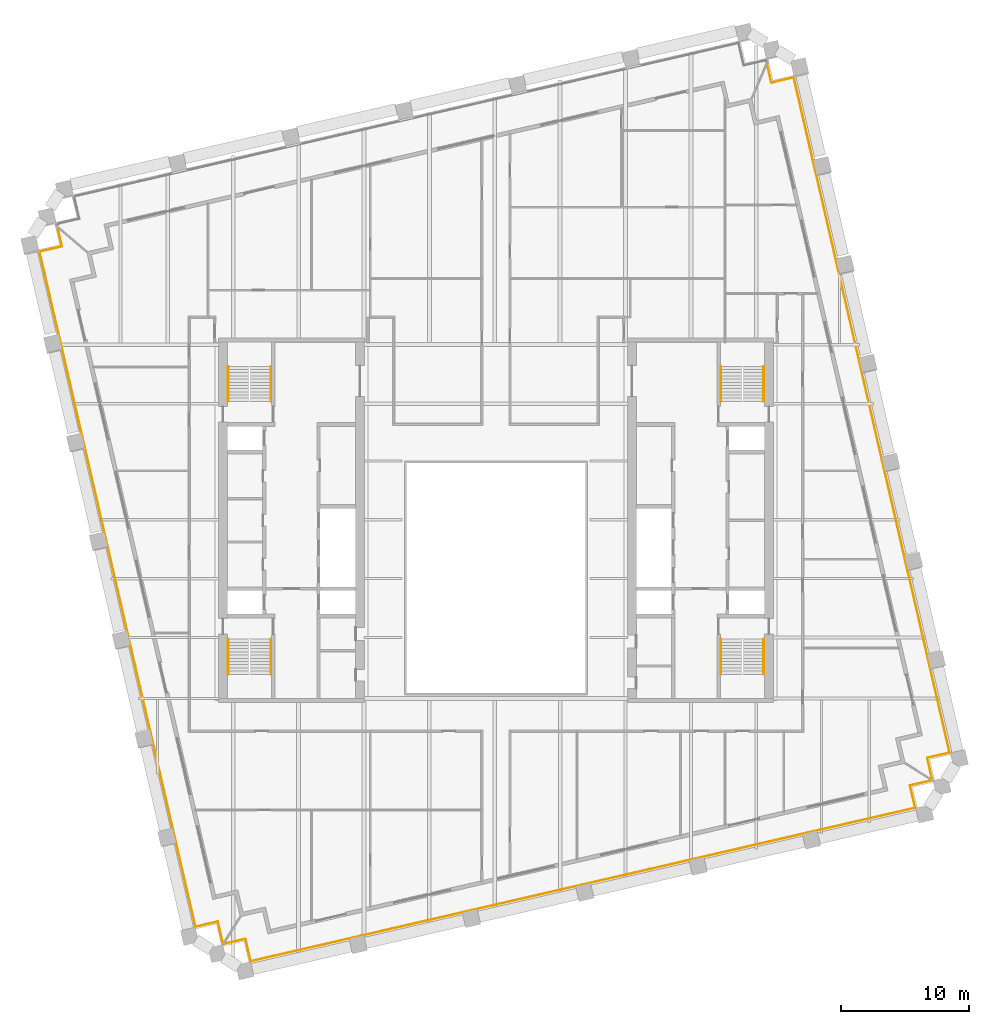
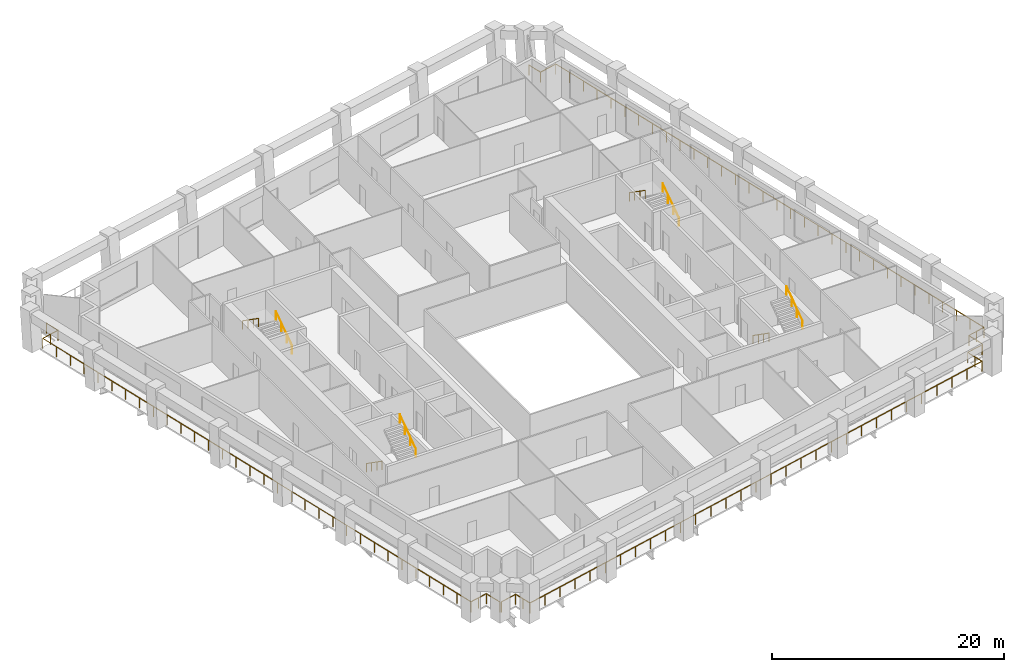
# One storey, part 10 of 11: 11 railings.
"""IFC4 building model written with IfcOpenShell, lengths in metres."""

from ifc_helpers import new_model, si_unit, direction, frame, origin, origin_2d, place, context, subcontext, project, spatial, circle, extrude, material, type_object, element, save


model = new_model("IFC4")

# Units and contexts
model_context = context("Model", 3, precision=1e-05, world=origin(), true_north=direction((0.0, 1.0)))
body_context = subcontext(model_context, "Body", "Model", "MODEL_VIEW")
ifc_project = project(units=[si_unit("LENGTHUNIT", "METRE"), si_unit("AREAUNIT", "SQUARE_METRE"), si_unit("VOLUMEUNIT", "CUBIC_METRE"), si_unit("PLANEANGLEUNIT", "RADIAN"), si_unit("MASSUNIT", "GRAM", prefix="KILO")], contexts=[model_context])

# Site, building, storey
site_placement = place(None, origin())
site = spatial("IfcSite", under=ifc_project, at=site_placement, CompositionType="ELEMENT")
building_placement = place(site_placement, origin())
building = spatial("IfcBuilding", under=site, at=building_placement, Name="Ogive Exchange Tower", CompositionType="ELEMENT")
storey_placement = place(building_placement, frame((0.0, 0.0, 175.800048828125)))
storey = spatial("IfcBuildingStorey", under=building, at=storey_placement, Name="L38", CompositionType="ELEMENT", Elevation=175.800048828125)

# Railings
ifc_material_1 = material(Name="Stainless steel 316", Category="steel")
railing_type_1 = type_object("IfcRailingType", Name="Guard 1100 stainless steel and glass", PredefinedType="GUARDRAIL", material=ifc_material_1)
railing_1_placement = place(storey_placement, frame((34.067138671875, -8.864013671875, -0.050048828125)))
element("IfcRailing", 1, at=railing_1_placement, inside=storey, type_object=railing_type_1, Name="Loggia guard 1", PredefinedType="GUARDRAIL", context=body_context, shape_type="SweptSolid", body=[
    extrude(circle(Radius=0.02392578125, at=origin_2d()), frame((0.0, 0.0, 1.076171875), z_axis=(-0.974364690374, -0.224974332206, 0.0), x_axis=(0.224974332206, -0.974364690374, 0.0)), (0.0, 0.0, 1.0), 1.7080078125),
    extrude(circle(Radius=0.02392578125, at=origin_2d()), frame((-1.664306640625, -0.38427734375, 1.076171875), z_axis=(0.224879318197, -0.974386623598, 0.0), x_axis=(0.974386623598, 0.224879318197, 0.0)), (0.0, 0.0, 1.0), 1.800048828125),
    extrude(circle(Radius=0.02392578125, at=origin_2d()), frame((-1.259521484375, -2.13818359375, 1.076171875), z_axis=(-0.97436998541, -0.224951398156, 0.0), x_axis=(0.224951398156, -0.97436998541, 0.0)), (0.0, 0.0, 1.0), 53.360107421875),
    extrude(circle(Radius=0.02392578125, at=origin_2d()), frame((-53.251953125, -14.1416015625, 1.076171875), z_axis=(-0.224879318197, 0.974386623598, 0.0), x_axis=(-0.974386623598, -0.224879318197, 0.0)), (0.0, 0.0, 1.0), 1.800048828125),
    extrude(circle(Radius=0.02392578125, at=origin_2d()), frame((-53.65673828125, -12.3876953125, 1.076171875), z_axis=(-0.974364690374, -0.224974332206, 0.0), x_axis=(0.224974332206, -0.974364690374, 0.0)), (0.0, 0.0, 1.0), 1.7080078125),
    extrude(circle(Radius=0.02099609375, at=origin_2d()), origin(), (0.0, 0.0, 1.0), 1.052001953125),
    extrude(circle(Radius=0.02099609375, at=origin_2d()), frame((-1.664306640625, -0.38427734375, 0.0)), (0.0, 0.0, 1.0), 1.052001953125),
    extrude(circle(Radius=0.02099609375, at=origin_2d()), frame((-1.4619140625, -1.26123046875, 0.0)), (0.0, 0.0, 1.0), 1.052001953125),
    extrude(circle(Radius=0.02099609375, at=origin_2d()), frame((-1.259521484375, -2.13818359375, 0.0)), (0.0, 0.0, 1.0), 1.052001953125),
    extrude(circle(Radius=0.02099609375, at=origin_2d()), frame((-2.99267578125, -2.538330078125, 0.0)), (0.0, 0.0, 1.0), 1.052001953125),
    extrude(circle(Radius=0.02099609375, at=origin_2d()), frame((-4.7255859375, -2.9384765625, 0.0)), (0.0, 0.0, 1.0), 1.052001953125),
    extrude(circle(Radius=0.02099609375, at=origin_2d()), frame((-6.458740234375, -3.338623046875, 0.0)), (0.0, 0.0, 1.0), 1.052001953125),
    extrude(circle(Radius=0.02099609375, at=origin_2d()), frame((-8.19189453125, -3.738525390625, 0.0)), (0.0, 0.0, 1.0), 1.052001953125),
    extrude(circle(Radius=0.02099609375, at=origin_2d()), frame((-9.9248046875, -4.138671875, 0.0)), (0.0, 0.0, 1.0), 1.052001953125),
    extrude(circle(Radius=0.02099609375, at=origin_2d()), frame((-11.657958984375, -4.538818359375, 0.0)), (0.0, 0.0, 1.0), 1.052001953125),
    extrude(circle(Radius=0.02099609375, at=origin_2d()), frame((-13.39111328125, -4.93896484375, 0.0)), (0.0, 0.0, 1.0), 1.052001953125),
    extrude(circle(Radius=0.02099609375, at=origin_2d()), frame((-15.124267578125, -5.339111328125, 0.0)), (0.0, 0.0, 1.0), 1.052001953125),
    extrude(circle(Radius=0.02099609375, at=origin_2d()), frame((-16.857177734375, -5.7392578125, 0.0)), (0.0, 0.0, 1.0), 1.052001953125),
    extrude(circle(Radius=0.02099609375, at=origin_2d()), frame((-18.59033203125, -6.139404296875, 0.0)), (0.0, 0.0, 1.0), 1.052001953125),
    extrude(circle(Radius=0.02099609375, at=origin_2d()), frame((-20.323486328125, -6.53955078125, 0.0)), (0.0, 0.0, 1.0), 1.052001953125),
    extrude(circle(Radius=0.02099609375, at=origin_2d()), frame((-22.056396484375, -6.939453125, 0.0)), (0.0, 0.0, 1.0), 1.052001953125),
    extrude(circle(Radius=0.02099609375, at=origin_2d()), frame((-23.78955078125, -7.339599609375, 0.0)), (0.0, 0.0, 1.0), 1.052001953125),
    extrude(circle(Radius=0.02099609375, at=origin_2d()), frame((-25.522705078125, -7.73974609375, 0.0)), (0.0, 0.0, 1.0), 1.052001953125),
    extrude(circle(Radius=0.02099609375, at=origin_2d()), frame((-27.255859375, -8.139892578125, 0.0)), (0.0, 0.0, 1.0), 1.052001953125),
    extrude(circle(Radius=0.02099609375, at=origin_2d()), frame((-28.98876953125, -8.5400390625, 0.0)), (0.0, 0.0, 1.0), 1.052001953125),
    extrude(circle(Radius=0.02099609375, at=origin_2d()), frame((-30.721923828125, -8.940185546875, 0.0)), (0.0, 0.0, 1.0), 1.052001953125),
    extrude(circle(Radius=0.02099609375, at=origin_2d()), frame((-32.455078125, -9.34033203125, 0.0)), (0.0, 0.0, 1.0), 1.052001953125),
    extrude(circle(Radius=0.02099609375, at=origin_2d()), frame((-34.18798828125, -9.740234375, 0.0)), (0.0, 0.0, 1.0), 1.052001953125),
    extrude(circle(Radius=0.02099609375, at=origin_2d()), frame((-35.921142578125, -10.140380859375, 0.0)), (0.0, 0.0, 1.0), 1.052001953125),
    extrude(circle(Radius=0.02099609375, at=origin_2d()), frame((-37.654296875, -10.54052734375, 0.0)), (0.0, 0.0, 1.0), 1.052001953125),
    extrude(circle(Radius=0.02099609375, at=origin_2d()), frame((-39.38720703125, -10.940673828125, 0.0)), (0.0, 0.0, 1.0), 1.052001953125),
    extrude(circle(Radius=0.02099609375, at=origin_2d()), frame((-41.120361328125, -11.3408203125, 0.0)), (0.0, 0.0, 1.0), 1.052001953125),
    extrude(circle(Radius=0.02099609375, at=origin_2d()), frame((-42.853515625, -11.740966796875, 0.0)), (0.0, 0.0, 1.0), 1.052001953125),
    extrude(circle(Radius=0.02099609375, at=origin_2d()), frame((-44.58642578125, -12.14111328125, 0.0)), (0.0, 0.0, 1.0), 1.052001953125),
    extrude(circle(Radius=0.02099609375, at=origin_2d()), frame((-46.319580078125, -12.541259765625, 0.0)), (0.0, 0.0, 1.0), 1.052001953125),
    extrude(circle(Radius=0.02099609375, at=origin_2d()), frame((-48.052734375, -12.941162109375, 0.0)), (0.0, 0.0, 1.0), 1.052001953125),
    extrude(circle(Radius=0.02099609375, at=origin_2d()), frame((-49.785888671875, -13.34130859375, 0.0)), (0.0, 0.0, 1.0), 1.052001953125),
    extrude(circle(Radius=0.02099609375, at=origin_2d()), frame((-51.518798828125, -13.741455078125, 0.0)), (0.0, 0.0, 1.0), 1.052001953125),
    extrude(circle(Radius=0.02099609375, at=origin_2d()), frame((-53.251953125, -14.1416015625, 0.0)), (0.0, 0.0, 1.0), 1.052001953125),
    extrude(circle(Radius=0.02099609375, at=origin_2d()), frame((-53.454345703125, -13.2646484375, 0.0)), (0.0, 0.0, 1.0), 1.052001953125),
    extrude(circle(Radius=0.02099609375, at=origin_2d()), frame((-53.65673828125, -12.3876953125, 0.0)), (0.0, 0.0, 1.0), 1.052001953125),
    extrude(circle(Radius=0.02099609375, at=origin_2d()), frame((-55.321044921875, -12.77197265625, 0.0)), (0.0, 0.0, 1.0), 1.052001953125),
])
railing_2_placement = place(storey_placement, frame((-21.364013671875, -21.567138671875, -0.050048828125)))
element("IfcRailing", 2, at=railing_2_placement, inside=storey, type_object=railing_type_1, Name="Loggia guard 2", PredefinedType="GUARDRAIL", context=body_context, shape_type="SweptSolid", body=[
    extrude(circle(Radius=0.02392578125, at=origin_2d()), frame((0.0, 0.0, 1.076171875), z_axis=(-0.224974332206, 0.974364690374, 0.0), x_axis=(-0.974364690374, -0.224974332206, 0.0)), (0.0, 0.0, 1.0), 1.7080078125),
    extrude(circle(Radius=0.02392578125, at=origin_2d()), frame((-0.38427734375, 1.664306640625, 1.076171875), z_axis=(-0.974386623598, -0.224879318197, 0.0), x_axis=(0.224879318197, -0.974386623598, 0.0)), (0.0, 0.0, 1.0), 1.800048828125),
    extrude(circle(Radius=0.02392578125, at=origin_2d()), frame((-2.13818359375, 1.259521484375, 1.076171875), z_axis=(-0.224953234402, 0.974369561477, 0.0), x_axis=(-0.974369561477, -0.224953234402, 0.0)), (0.0, 0.0, 1.0), 54.217041015625),
    extrude(circle(Radius=0.02392578125, at=origin_2d()), frame((-14.33447265625, 54.0869140625, 1.076171875), z_axis=(0.974356896201, 0.225008086135, 0.0), x_axis=(-0.225008086135, 0.974356896201, 0.0)), (0.0, 0.0, 1.0), 1.800048828125),
    extrude(circle(Radius=0.02392578125, at=origin_2d()), frame((-12.58056640625, 54.491943359375, 1.076171875), z_axis=(-0.224859506699, 0.974391195695, 0.0), x_axis=(-0.974391195695, -0.224859506699, 0.0)), (0.0, 0.0, 1.0), 1.468994140625),
    extrude(circle(Radius=0.02099609375, at=origin_2d()), origin(), (0.0, 0.0, 1.0), 1.052001953125),
    extrude(circle(Radius=0.02099609375, at=origin_2d()), frame((-0.38427734375, 1.664306640625, 0.0)), (0.0, 0.0, 1.0), 1.052001953125),
    extrude(circle(Radius=0.02099609375, at=origin_2d()), frame((-1.26123046875, 1.4619140625, 0.0)), (0.0, 0.0, 1.0), 1.052001953125),
    extrude(circle(Radius=0.02099609375, at=origin_2d()), frame((-2.13818359375, 1.259521484375, 0.0)), (0.0, 0.0, 1.0), 1.052001953125),
    extrude(circle(Radius=0.02099609375, at=origin_2d()), frame((-2.531494140625, 2.963623046875, 0.0)), (0.0, 0.0, 1.0), 1.052001953125),
    extrude(circle(Radius=0.02099609375, at=origin_2d()), frame((-2.925048828125, 4.667724609375, 0.0)), (0.0, 0.0, 1.0), 1.052001953125),
    extrude(circle(Radius=0.02099609375, at=origin_2d()), frame((-3.318359375, 6.371826171875, 0.0)), (0.0, 0.0, 1.0), 1.052001953125),
    extrude(circle(Radius=0.02099609375, at=origin_2d()), frame((-3.7119140625, 8.075927734375, 0.0)), (0.0, 0.0, 1.0), 1.052001953125),
    extrude(circle(Radius=0.02099609375, at=origin_2d()), frame((-4.105224609375, 9.780029296875, 0.0)), (0.0, 0.0, 1.0), 1.052001953125),
    extrude(circle(Radius=0.02099609375, at=origin_2d()), frame((-4.498779296875, 11.484130859375, 0.0)), (0.0, 0.0, 1.0), 1.052001953125),
    extrude(circle(Radius=0.02099609375, at=origin_2d()), frame((-4.89208984375, 13.188232421875, 0.0)), (0.0, 0.0, 1.0), 1.052001953125),
    extrude(circle(Radius=0.02099609375, at=origin_2d()), frame((-5.28564453125, 14.892333984375, 0.0)), (0.0, 0.0, 1.0), 1.052001953125),
    extrude(circle(Radius=0.02099609375, at=origin_2d()), frame((-5.678955078125, 16.596435546875, 0.0)), (0.0, 0.0, 1.0), 1.052001953125),
    extrude(circle(Radius=0.02099609375, at=origin_2d()), frame((-6.072509765625, 18.300537109375, 0.0)), (0.0, 0.0, 1.0), 1.052001953125),
    extrude(circle(Radius=0.02099609375, at=origin_2d()), frame((-6.4658203125, 20.004638671875, 0.0)), (0.0, 0.0, 1.0), 1.052001953125),
    extrude(circle(Radius=0.02099609375, at=origin_2d()), frame((-6.859375, 21.708740234375, 0.0)), (0.0, 0.0, 1.0), 1.052001953125),
    extrude(circle(Radius=0.02099609375, at=origin_2d()), frame((-7.252685546875, 23.412841796875, 0.0)), (0.0, 0.0, 1.0), 1.052001953125),
    extrude(circle(Radius=0.02099609375, at=origin_2d()), frame((-7.646240234375, 25.116943359375, 0.0)), (0.0, 0.0, 1.0), 1.052001953125),
    extrude(circle(Radius=0.02099609375, at=origin_2d()), frame((-8.03955078125, 26.821044921875, 0.0)), (0.0, 0.0, 1.0), 1.052001953125),
    extrude(circle(Radius=0.02099609375, at=origin_2d()), frame((-8.43310546875, 28.525390625, 0.0)), (0.0, 0.0, 1.0), 1.052001953125),
    extrude(circle(Radius=0.02099609375, at=origin_2d()), frame((-8.826416015625, 30.2294921875, 0.0)), (0.0, 0.0, 1.0), 1.052001953125),
    extrude(circle(Radius=0.02099609375, at=origin_2d()), frame((-9.219970703125, 31.93359375, 0.0)), (0.0, 0.0, 1.0), 1.052001953125),
    extrude(circle(Radius=0.02099609375, at=origin_2d()), frame((-9.61328125, 33.6376953125, 0.0)), (0.0, 0.0, 1.0), 1.052001953125),
    extrude(circle(Radius=0.02099609375, at=origin_2d()), frame((-10.0068359375, 35.341796875, 0.0)), (0.0, 0.0, 1.0), 1.052001953125),
    extrude(circle(Radius=0.02099609375, at=origin_2d()), frame((-10.400146484375, 37.0458984375, 0.0)), (0.0, 0.0, 1.0), 1.052001953125),
    extrude(circle(Radius=0.02099609375, at=origin_2d()), frame((-10.793701171875, 38.75, 0.0)), (0.0, 0.0, 1.0), 1.052001953125),
    extrude(circle(Radius=0.02099609375, at=origin_2d()), frame((-11.18701171875, 40.4541015625, 0.0)), (0.0, 0.0, 1.0), 1.052001953125),
    extrude(circle(Radius=0.02099609375, at=origin_2d()), frame((-11.58056640625, 42.158203125, 0.0)), (0.0, 0.0, 1.0), 1.052001953125),
    extrude(circle(Radius=0.02099609375, at=origin_2d()), frame((-11.973876953125, 43.8623046875, 0.0)), (0.0, 0.0, 1.0), 1.052001953125),
    extrude(circle(Radius=0.02099609375, at=origin_2d()), frame((-12.367431640625, 45.56640625, 0.0)), (0.0, 0.0, 1.0), 1.052001953125),
    extrude(circle(Radius=0.02099609375, at=origin_2d()), frame((-12.7607421875, 47.2705078125, 0.0)), (0.0, 0.0, 1.0), 1.052001953125),
    extrude(circle(Radius=0.02099609375, at=origin_2d()), frame((-13.154296875, 48.974609375, 0.0)), (0.0, 0.0, 1.0), 1.052001953125),
    extrude(circle(Radius=0.02099609375, at=origin_2d()), frame((-13.547607421875, 50.6787109375, 0.0)), (0.0, 0.0, 1.0), 1.052001953125),
    extrude(circle(Radius=0.02099609375, at=origin_2d()), frame((-13.941162109375, 52.3828125, 0.0)), (0.0, 0.0, 1.0), 1.052001953125),
    extrude(circle(Radius=0.02099609375, at=origin_2d()), frame((-14.33447265625, 54.0869140625, 0.0)), (0.0, 0.0, 1.0), 1.052001953125),
    extrude(circle(Radius=0.02099609375, at=origin_2d()), frame((-13.45751953125, 54.28955078125, 0.0)), (0.0, 0.0, 1.0), 1.052001953125),
    extrude(circle(Radius=0.02099609375, at=origin_2d()), frame((-12.58056640625, 54.491943359375, 0.0)), (0.0, 0.0, 1.0), 1.052001953125),
    extrude(circle(Radius=0.02099609375, at=origin_2d()), frame((-12.910888671875, 55.92333984375, 0.0)), (0.0, 0.0, 1.0), 1.052001953125),
])
railing_3_placement = place(storey_placement, frame((21.22509765625, 47.169189453125, -0.050048828125)))
element("IfcRailing", 3, at=railing_3_placement, inside=storey, type_object=railing_type_1, Name="Loggia guard 4", PredefinedType="GUARDRAIL", context=body_context, shape_type="SweptSolid", body=[
    extrude(circle(Radius=0.02392578125, at=origin_2d()), frame((0.0, 0.0, 1.076171875), z_axis=(0.225053729804, -0.974346354589, 0.0), x_axis=(0.974346354589, 0.225053729804, 0.0)), (0.0, 0.0, 1.0), 1.46875),
    extrude(circle(Radius=0.02392578125, at=origin_2d()), frame((0.33056640625, -1.43115234375, 1.076171875), z_axis=(0.974379763188, 0.224909041816, 0.0), x_axis=(-0.224909041816, 0.974379763188, 0.0)), (0.0, 0.0, 1.0), 1.7998046875),
    extrude(circle(Radius=0.02392578125, at=origin_2d()), frame((2.084228515625, -1.0263671875, 1.076171875), z_axis=(0.224952247398, -0.974369789346, 0.0), x_axis=(0.974369789346, 0.224952247398, 0.0)), (0.0, 0.0, 1.0), 54.21728515625),
    extrude(circle(Radius=0.02392578125, at=origin_2d()), frame((14.280517578125, -53.85400390625, 1.076171875), z_axis=(-0.974386623598, -0.224879318197, 0.0), x_axis=(0.224879318197, -0.974386623598, 0.0)), (0.0, 0.0, 1.0), 1.800048828125),
    extrude(circle(Radius=0.02392578125, at=origin_2d()), frame((12.526611328125, -54.2587890625, 1.076171875), z_axis=(0.224974332206, -0.974364690374, 0.0), x_axis=(0.974364690374, 0.224974332206, 0.0)), (0.0, 0.0, 1.0), 1.7080078125),
    extrude(circle(Radius=0.02099609375, at=origin_2d()), origin(), (0.0, 0.0, 1.0), 1.052001953125),
    extrude(circle(Radius=0.02099609375, at=origin_2d()), frame((0.33056640625, -1.43115234375, 0.0)), (0.0, 0.0, 1.0), 1.052001953125),
    extrude(circle(Radius=0.02099609375, at=origin_2d()), frame((2.084228515625, -1.0263671875, 0.0)), (0.0, 0.0, 1.0), 1.052001953125),
    extrude(circle(Radius=0.02099609375, at=origin_2d()), frame((2.4775390625, -2.73046875, 0.0)), (0.0, 0.0, 1.0), 1.052001953125),
    extrude(circle(Radius=0.02099609375, at=origin_2d()), frame((2.87109375, -4.4345703125, 0.0)), (0.0, 0.0, 1.0), 1.052001953125),
    extrude(circle(Radius=0.02099609375, at=origin_2d()), frame((3.264404296875, -6.138671875, 0.0)), (0.0, 0.0, 1.0), 1.052001953125),
    extrude(circle(Radius=0.02099609375, at=origin_2d()), frame((3.657958984375, -7.8427734375, 0.0)), (0.0, 0.0, 1.0), 1.052001953125),
    extrude(circle(Radius=0.02099609375, at=origin_2d()), frame((4.05126953125, -9.546875, 0.0)), (0.0, 0.0, 1.0), 1.052001953125),
    extrude(circle(Radius=0.02099609375, at=origin_2d()), frame((4.44482421875, -11.2509765625, 0.0)), (0.0, 0.0, 1.0), 1.052001953125),
    extrude(circle(Radius=0.02099609375, at=origin_2d()), frame((4.838134765625, -12.955078125, 0.0)), (0.0, 0.0, 1.0), 1.052001953125),
    extrude(circle(Radius=0.02099609375, at=origin_2d()), frame((5.231689453125, -14.659423828125, 0.0)), (0.0, 0.0, 1.0), 1.052001953125),
    extrude(circle(Radius=0.02099609375, at=origin_2d()), frame((5.625, -16.363525390625, 0.0)), (0.0, 0.0, 1.0), 1.052001953125),
    extrude(circle(Radius=0.02099609375, at=origin_2d()), frame((6.0185546875, -18.067626953125, 0.0)), (0.0, 0.0, 1.0), 1.052001953125),
    extrude(circle(Radius=0.02099609375, at=origin_2d()), frame((6.411865234375, -19.771728515625, 0.0)), (0.0, 0.0, 1.0), 1.052001953125),
    extrude(circle(Radius=0.02099609375, at=origin_2d()), frame((6.805419921875, -21.475830078125, 0.0)), (0.0, 0.0, 1.0), 1.052001953125),
    extrude(circle(Radius=0.02099609375, at=origin_2d()), frame((7.19873046875, -23.179931640625, 0.0)), (0.0, 0.0, 1.0), 1.052001953125),
    extrude(circle(Radius=0.02099609375, at=origin_2d()), frame((7.59228515625, -24.884033203125, 0.0)), (0.0, 0.0, 1.0), 1.052001953125),
    extrude(circle(Radius=0.02099609375, at=origin_2d()), frame((7.985595703125, -26.588134765625, 0.0)), (0.0, 0.0, 1.0), 1.052001953125),
    extrude(circle(Radius=0.02099609375, at=origin_2d()), frame((8.379150390625, -28.292236328125, 0.0)), (0.0, 0.0, 1.0), 1.052001953125),
    extrude(circle(Radius=0.02099609375, at=origin_2d()), frame((8.7724609375, -29.996337890625, 0.0)), (0.0, 0.0, 1.0), 1.052001953125),
    extrude(circle(Radius=0.02099609375, at=origin_2d()), frame((9.166015625, -31.700439453125, 0.0)), (0.0, 0.0, 1.0), 1.052001953125),
    extrude(circle(Radius=0.02099609375, at=origin_2d()), frame((9.559326171875, -33.404541015625, 0.0)), (0.0, 0.0, 1.0), 1.052001953125),
    extrude(circle(Radius=0.02099609375, at=origin_2d()), frame((9.952880859375, -35.108642578125, 0.0)), (0.0, 0.0, 1.0), 1.052001953125),
    extrude(circle(Radius=0.02099609375, at=origin_2d()), frame((10.34619140625, -36.812744140625, 0.0)), (0.0, 0.0, 1.0), 1.052001953125),
    extrude(circle(Radius=0.02099609375, at=origin_2d()), frame((10.73974609375, -38.516845703125, 0.0)), (0.0, 0.0, 1.0), 1.052001953125),
    extrude(circle(Radius=0.02099609375, at=origin_2d()), frame((11.133056640625, -40.220947265625, 0.0)), (0.0, 0.0, 1.0), 1.052001953125),
    extrude(circle(Radius=0.02099609375, at=origin_2d()), frame((11.526611328125, -41.92529296875, 0.0)), (0.0, 0.0, 1.0), 1.052001953125),
    extrude(circle(Radius=0.02099609375, at=origin_2d()), frame((11.919921875, -43.62939453125, 0.0)), (0.0, 0.0, 1.0), 1.052001953125),
    extrude(circle(Radius=0.02099609375, at=origin_2d()), frame((12.3134765625, -45.33349609375, 0.0)), (0.0, 0.0, 1.0), 1.052001953125),
    extrude(circle(Radius=0.02099609375, at=origin_2d()), frame((12.706787109375, -47.03759765625, 0.0)), (0.0, 0.0, 1.0), 1.052001953125),
    extrude(circle(Radius=0.02099609375, at=origin_2d()), frame((13.100341796875, -48.74169921875, 0.0)), (0.0, 0.0, 1.0), 1.052001953125),
    extrude(circle(Radius=0.02099609375, at=origin_2d()), frame((13.49365234375, -50.44580078125, 0.0)), (0.0, 0.0, 1.0), 1.052001953125),
    extrude(circle(Radius=0.02099609375, at=origin_2d()), frame((13.88720703125, -52.14990234375, 0.0)), (0.0, 0.0, 1.0), 1.052001953125),
    extrude(circle(Radius=0.02099609375, at=origin_2d()), frame((14.280517578125, -53.85400390625, 0.0)), (0.0, 0.0, 1.0), 1.052001953125),
    extrude(circle(Radius=0.02099609375, at=origin_2d()), frame((13.403564453125, -54.056396484375, 0.0)), (0.0, 0.0, 1.0), 1.052001953125),
    extrude(circle(Radius=0.02099609375, at=origin_2d()), frame((12.526611328125, -54.2587890625, 0.0)), (0.0, 0.0, 1.0), 1.052001953125),
    extrude(circle(Radius=0.02099609375, at=origin_2d()), frame((12.910888671875, -55.923095703125, 0.0)), (0.0, 0.0, 1.0), 1.052001953125),
])
ifc_material_2 = material(Name="Stainless steel", Category="steel")
railing_type_2 = type_object("IfcRailingType", Name="Stair handrail 900", PredefinedType="HANDRAIL", material=ifc_material_2)
railing_4_placement = place(storey_placement, frame((-20.949951171875, 2.199951171875, 0.175048828125)))
element("IfcRailing", 4, at=railing_4_placement, inside=storey, type_object=railing_type_2, Name="L38 ST1 stair handrail 1", PredefinedType="HANDRAIL", context=body_context, shape_type="SweptSolid", body=[
    extrude(circle(Radius=0.02392578125, at=origin_2d()), frame((0.0, 0.0, 0.8759765625), z_axis=(0.0, -0.819259255306, 0.573423292687), x_axis=(1.0, 0.0, 0.0)), (0.0, 0.0, 1.0), 3.356689453125),
    extrude(circle(Radius=0.02099609375, at=origin_2d()), origin(), (0.0, 0.0, 1.0), 0.851806640625),
    extrude(circle(Radius=0.02099609375, at=origin_2d()), frame((0.0, -0.916748046875, 0.6416015625)), (0.0, 0.0, 1.0), 0.851806640625),
    extrude(circle(Radius=0.02099609375, at=origin_2d()), frame((0.0, -1.833251953125, 1.283203125)), (0.0, 0.0, 1.0), 0.851806640625),
    extrude(circle(Radius=0.02099609375, at=origin_2d()), frame((0.0, -2.75, 1.9248046875)), (0.0, 0.0, 1.0), 0.851806640625),
])
railing_5_placement = place(storey_placement, frame((-17.60009765625, -0.550048828125, 2.27490234375)))
element("IfcRailing", 5, at=railing_5_placement, inside=storey, type_object=railing_type_2, Name="L38 ST1 stair handrail 2", PredefinedType="HANDRAIL", context=body_context, shape_type="SweptSolid", body=[
    extrude(circle(Radius=0.02392578125, at=origin_2d()), frame((0.0, 0.0, 0.8759765625), z_axis=(0.0, 0.819225086817, 0.573472106672), x_axis=(-1.0, 0.0, 0.0)), (0.0, 0.0, 1.0), 3.35693359375),
    extrude(circle(Radius=0.02099609375, at=origin_2d()), origin(), (0.0, 0.0, 1.0), 0.851806640625),
    extrude(circle(Radius=0.02099609375, at=origin_2d()), frame((0.0, 0.916748046875, 0.6416015625)), (0.0, 0.0, 1.0), 0.851806640625),
    extrude(circle(Radius=0.02099609375, at=origin_2d()), frame((0.0, 1.833251953125, 1.283447265625)), (0.0, 0.0, 1.0), 0.851806640625),
    extrude(circle(Radius=0.02099609375, at=origin_2d()), frame((0.0, 2.75, 1.925048828125)), (0.0, 0.0, 1.0), 0.851806640625),
])
railing_6_placement = place(storey_placement, frame((-17.60009765625, 20.800048828125, 0.175048828125)))
element("IfcRailing", 6, at=railing_6_placement, inside=storey, type_object=railing_type_2, Name="L38 ST2 stair handrail 1", PredefinedType="HANDRAIL", context=body_context, shape_type="SweptSolid", body=[
    extrude(circle(Radius=0.02392578125, at=origin_2d()), frame((0.0, 0.0, 0.8759765625), z_axis=(0.0, 0.819259255306, 0.573423292687), x_axis=(-1.0, 0.0, 0.0)), (0.0, 0.0, 1.0), 3.356689453125),
    extrude(circle(Radius=0.02099609375, at=origin_2d()), origin(), (0.0, 0.0, 1.0), 0.851806640625),
    extrude(circle(Radius=0.02099609375, at=origin_2d()), frame((0.0, 0.916748046875, 0.6416015625)), (0.0, 0.0, 1.0), 0.851806640625),
    extrude(circle(Radius=0.02099609375, at=origin_2d()), frame((0.0, 1.833251953125, 1.283203125)), (0.0, 0.0, 1.0), 0.851806640625),
    extrude(circle(Radius=0.02099609375, at=origin_2d()), frame((0.0, 2.75, 1.9248046875)), (0.0, 0.0, 1.0), 0.851806640625),
])
railing_7_placement = place(storey_placement, frame((-20.949951171875, 23.550048828125, 2.27490234375)))
element("IfcRailing", 7, at=railing_7_placement, inside=storey, type_object=railing_type_2, Name="L38 ST2 stair handrail 2", PredefinedType="HANDRAIL", context=body_context, shape_type="SweptSolid", body=[
    extrude(circle(Radius=0.02392578125, at=origin_2d()), frame((0.0, 0.0, 0.8759765625), z_axis=(0.0, -0.819225086817, 0.573472106672), x_axis=(1.0, 0.0, 0.0)), (0.0, 0.0, 1.0), 3.35693359375),
    extrude(circle(Radius=0.02099609375, at=origin_2d()), origin(), (0.0, 0.0, 1.0), 0.851806640625),
    extrude(circle(Radius=0.02099609375, at=origin_2d()), frame((0.0, -0.916748046875, 0.6416015625)), (0.0, 0.0, 1.0), 0.851806640625),
    extrude(circle(Radius=0.02099609375, at=origin_2d()), frame((0.0, -1.833251953125, 1.283447265625)), (0.0, 0.0, 1.0), 0.851806640625),
    extrude(circle(Radius=0.02099609375, at=origin_2d()), frame((0.0, -2.75, 1.925048828125)), (0.0, 0.0, 1.0), 0.851806640625),
])
railing_8_placement = place(storey_placement, frame((17.60009765625, 2.199951171875, 0.175048828125)))
element("IfcRailing", 8, at=railing_8_placement, inside=storey, type_object=railing_type_2, Name="L38 ST3 stair handrail 1", PredefinedType="HANDRAIL", context=body_context, shape_type="SweptSolid", body=[
    extrude(circle(Radius=0.02392578125, at=origin_2d()), frame((0.0, 0.0, 0.8759765625), z_axis=(0.0, -0.819259255306, 0.573423292687), x_axis=(1.0, 0.0, 0.0)), (0.0, 0.0, 1.0), 3.356689453125),
    extrude(circle(Radius=0.02099609375, at=origin_2d()), origin(), (0.0, 0.0, 1.0), 0.851806640625),
    extrude(circle(Radius=0.02099609375, at=origin_2d()), frame((0.0, -0.916748046875, 0.6416015625)), (0.0, 0.0, 1.0), 0.851806640625),
    extrude(circle(Radius=0.02099609375, at=origin_2d()), frame((0.0, -1.833251953125, 1.283203125)), (0.0, 0.0, 1.0), 0.851806640625),
    extrude(circle(Radius=0.02099609375, at=origin_2d()), frame((0.0, -2.75, 1.9248046875)), (0.0, 0.0, 1.0), 0.851806640625),
])
railing_9_placement = place(storey_placement, frame((20.949951171875, -0.550048828125, 2.27490234375)))
element("IfcRailing", 9, at=railing_9_placement, inside=storey, type_object=railing_type_2, Name="L38 ST3 stair handrail 2", PredefinedType="HANDRAIL", context=body_context, shape_type="SweptSolid", body=[
    extrude(circle(Radius=0.02392578125, at=origin_2d()), frame((0.0, 0.0, 0.8759765625), z_axis=(0.0, 0.819225086817, 0.573472106672), x_axis=(-1.0, 0.0, 0.0)), (0.0, 0.0, 1.0), 3.35693359375),
    extrude(circle(Radius=0.02099609375, at=origin_2d()), origin(), (0.0, 0.0, 1.0), 0.851806640625),
    extrude(circle(Radius=0.02099609375, at=origin_2d()), frame((0.0, 0.916748046875, 0.6416015625)), (0.0, 0.0, 1.0), 0.851806640625),
    extrude(circle(Radius=0.02099609375, at=origin_2d()), frame((0.0, 1.833251953125, 1.283447265625)), (0.0, 0.0, 1.0), 0.851806640625),
    extrude(circle(Radius=0.02099609375, at=origin_2d()), frame((0.0, 2.75, 1.925048828125)), (0.0, 0.0, 1.0), 0.851806640625),
])
railing_10_placement = place(storey_placement, frame((20.949951171875, 20.800048828125, 0.175048828125)))
element("IfcRailing", 10, at=railing_10_placement, inside=storey, type_object=railing_type_2, Name="L38 ST4 stair handrail 1", PredefinedType="HANDRAIL", context=body_context, shape_type="SweptSolid", body=[
    extrude(circle(Radius=0.02392578125, at=origin_2d()), frame((0.0, 0.0, 0.8759765625), z_axis=(0.0, 0.819259255306, 0.573423292687), x_axis=(-1.0, 0.0, 0.0)), (0.0, 0.0, 1.0), 3.356689453125),
    extrude(circle(Radius=0.02099609375, at=origin_2d()), origin(), (0.0, 0.0, 1.0), 0.851806640625),
    extrude(circle(Radius=0.02099609375, at=origin_2d()), frame((0.0, 0.916748046875, 0.6416015625)), (0.0, 0.0, 1.0), 0.851806640625),
    extrude(circle(Radius=0.02099609375, at=origin_2d()), frame((0.0, 1.833251953125, 1.283203125)), (0.0, 0.0, 1.0), 0.851806640625),
    extrude(circle(Radius=0.02099609375, at=origin_2d()), frame((0.0, 2.75, 1.9248046875)), (0.0, 0.0, 1.0), 0.851806640625),
])
railing_11_placement = place(storey_placement, frame((17.60009765625, 23.550048828125, 2.27490234375)))
element("IfcRailing", 11, at=railing_11_placement, inside=storey, type_object=railing_type_2, Name="L38 ST4 stair handrail 2", PredefinedType="HANDRAIL", context=body_context, shape_type="SweptSolid", body=[
    extrude(circle(Radius=0.02392578125, at=origin_2d()), frame((0.0, 0.0, 0.8759765625), z_axis=(0.0, -0.819225086817, 0.573472106672), x_axis=(1.0, 0.0, 0.0)), (0.0, 0.0, 1.0), 3.35693359375),
    extrude(circle(Radius=0.02099609375, at=origin_2d()), origin(), (0.0, 0.0, 1.0), 0.851806640625),
    extrude(circle(Radius=0.02099609375, at=origin_2d()), frame((0.0, -0.916748046875, 0.6416015625)), (0.0, 0.0, 1.0), 0.851806640625),
    extrude(circle(Radius=0.02099609375, at=origin_2d()), frame((0.0, -1.833251953125, 1.283447265625)), (0.0, 0.0, 1.0), 0.851806640625),
    extrude(circle(Radius=0.02099609375, at=origin_2d()), frame((0.0, -2.75, 1.925048828125)), (0.0, 0.0, 1.0), 0.851806640625),
])

save(model, "model.ifc")
